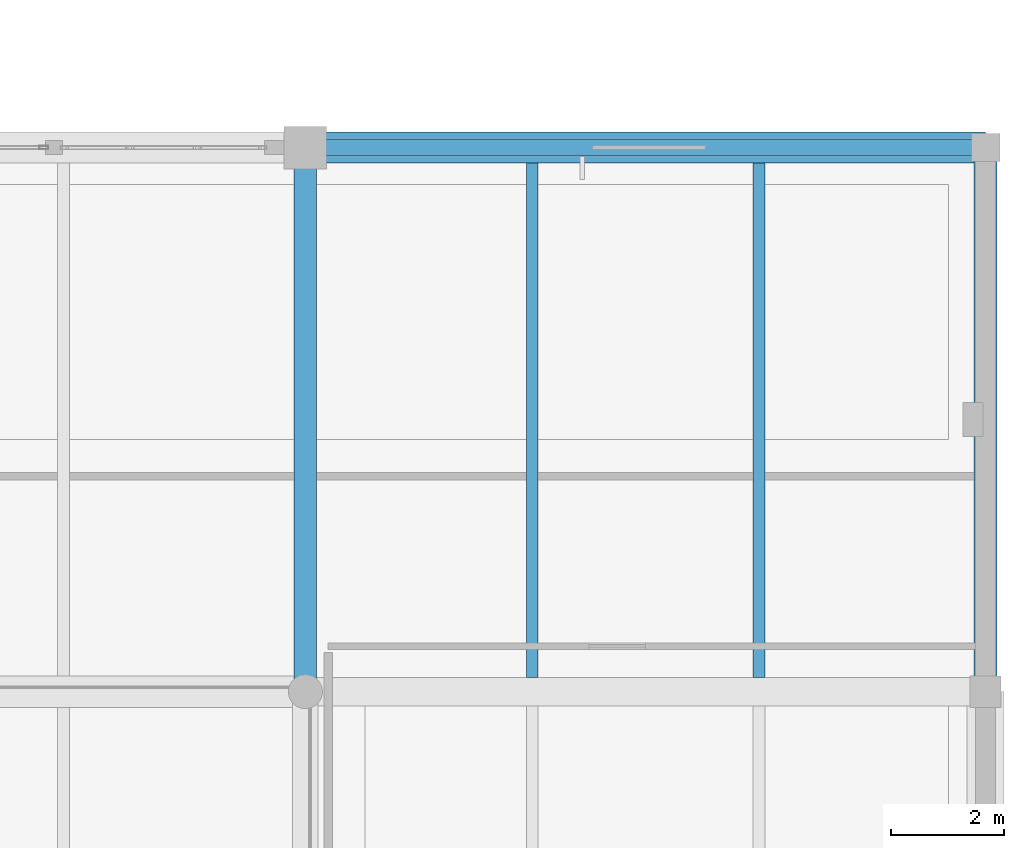
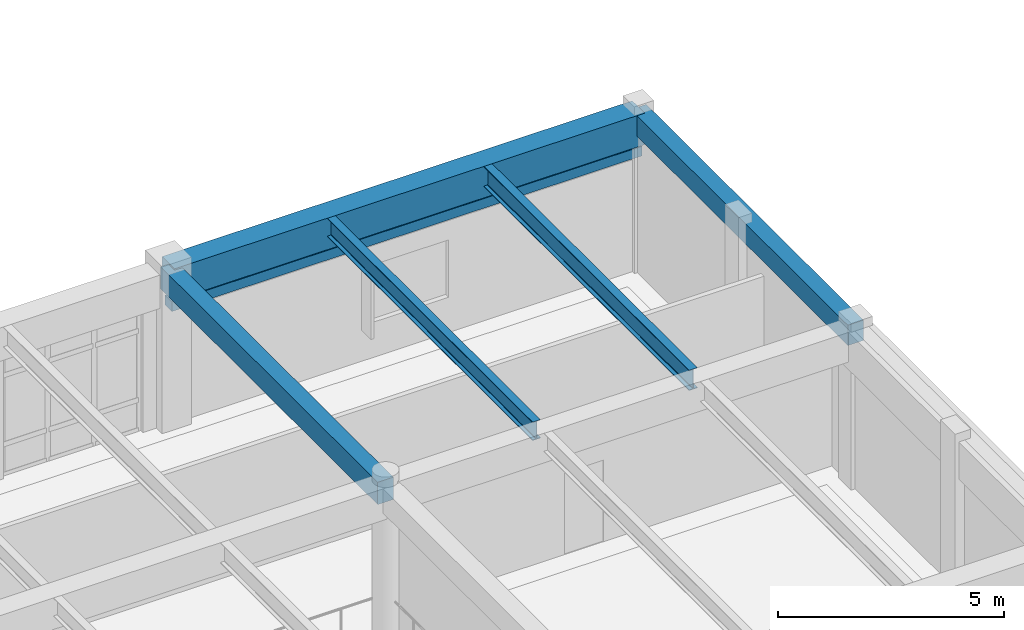
# One storey, part 63 of 109: 6 beams.
"""IFC4 building model written with IfcOpenShell, lengths in metres."""

from ifc_helpers import new_model, si_unit, direction, frame, origin, origin_2d, place, context, subcontext, project, spatial, rectangle, i_section, extrude, material, material_profile, profile_set, type_object, element, save


model = new_model("IFC4")

# Units and contexts
model_context = context("Model", 3, precision=1e-05, world=origin(), true_north=direction((0.0, 1.0)))
body_context = subcontext(model_context, "Body", "Model", "MODEL_VIEW")
ifc_project = project(units=[si_unit("LENGTHUNIT", "METRE"), si_unit("AREAUNIT", "SQUARE_METRE"), si_unit("VOLUMEUNIT", "CUBIC_METRE"), si_unit("PLANEANGLEUNIT", "RADIAN"), si_unit("MASSUNIT", "GRAM", prefix="KILO")], contexts=[model_context])

# Site, building, storey
site_placement = place(None, origin())
site = spatial("IfcSite", under=ifc_project, at=site_placement, CompositionType="ELEMENT")
building_placement = place(site_placement, origin())
building = spatial("IfcBuilding", under=site, at=building_placement, Name="Fikremerkos Civic Library", CompositionType="ELEMENT")
storey_placement = place(building_placement, frame((0.0, 0.0, 5.39990234375)))
storey = spatial("IfcBuildingStorey", under=building, at=storey_placement, Name="L01", CompositionType="ELEMENT", Elevation=5.39990234375)

# Beams
ifc_material_1 = material(Name="Steel S355", Category="steel")
ifc_material_profile_1 = material_profile(ifc_material_1, i_section(OverallWidth=0.2099609375, OverallDepth=0.550048828125, WebThickness=0.010986328125, FlangeThickness=0.01708984375, FilletRadius=0.02392578125, at=origin_2d()), Name="IPE 550")
ifc_profile_set_1 = profile_set([ifc_material_profile_1], Name="Steel S355")
beam_type_1 = type_object("IfcBeamType", Name="Floor joist JS-05 IPE 550", PredefinedType="JOIST", material=ifc_profile_set_1)
beam_1_placement = place(storey_placement, frame((168.0, 31.449951171875, 3.985107421875), z_axis=(0.0, 1.0, 0.0), x_axis=(-1.0, 0.0, 0.0)))
element("IfcBeam", 1, at=beam_1_placement, inside=storey, type_object=beam_type_1, Name="Floor joist JS-05 L01 #469", PredefinedType="JOIST", context=body_context, shape_type="SweptSolid", body=[
    extrude(i_section(OverallWidth=0.2099609375, OverallDepth=0.550048828125, WebThickness=0.010986328125, FlangeThickness=0.01708984375, FilletRadius=0.02392578125, at=origin_2d()), origin(), (0.0, 0.0, 1.0), 9.074951171875),
])
ifc_material_profile_2 = material_profile(ifc_material_1, i_section(OverallWidth=0.199951171875, OverallDepth=0.5, WebThickness=0.01025390625, FlangeThickness=0.01611328125, FilletRadius=0.02099609375, at=origin_2d()), Name="IPE 500")
ifc_profile_set_2 = profile_set([ifc_material_profile_2], Name="Steel S355")
beam_type_2 = type_object("IfcBeamType", Name="Floor joist JS-06 IPE 500", PredefinedType="JOIST", material=ifc_profile_set_2)
beam_2_placement = place(storey_placement, frame((164.0, 31.449951171875, 4.010009765625), z_axis=(0.0, 1.0, 0.0), x_axis=(-1.0, 0.0, 0.0)))
element("IfcBeam", 2, at=beam_2_placement, inside=storey, type_object=beam_type_2, Name="Floor joist JS-06 L01 #468", PredefinedType="JOIST", context=body_context, shape_type="SweptSolid", body=[
    extrude(i_section(OverallWidth=0.199951171875, OverallDepth=0.5, WebThickness=0.01025390625, FlangeThickness=0.01611328125, FilletRadius=0.02099609375, at=origin_2d()), origin(), (0.0, 0.0, 1.0), 9.074951171875),
])
ifc_material_2 = material(Name="Concrete C40/50", Category="concrete")
ifc_material_profile_3 = material_profile(ifc_material_2, rectangle(XDim=0.300048828125, YDim=0.260009765625, at=origin_2d()), Name="RC 300x260")
ifc_profile_set_3 = profile_set([ifc_material_profile_3], Name="Concrete C40/50")
beam_type_3 = type_object("IfcBeamType", Name="Opening lintel LNT-02 RC 300x260", PredefinedType="LINTEL", material=ifc_profile_set_3)
beam_3_placement = place(storey_placement, frame((160.0, 40.800048828125, 3.16015625), z_axis=(1.0, 0.0, 0.0), x_axis=(0.0, 1.0, 0.0)))
element("IfcBeam", 3, at=beam_3_placement, inside=storey, type_object=beam_type_3, Name="Courtyard window head lintel LNT-02 L01 #19", PredefinedType="LINTEL", context=body_context, shape_type="SweptSolid", body=[
    extrude(rectangle(XDim=0.300048828125, YDim=0.260009765625, at=origin_2d()), origin(), (0.0, 0.0, 1.0), 12.0),
])
ifc_material_profile_4 = material_profile(ifc_material_2, rectangle(XDim=0.550048828125, YDim=0.85009765625, at=origin_2d()), Name="RC 550x850")
ifc_profile_set_4 = profile_set([ifc_material_profile_4], Name="Concrete C40/50")
beam_type_4 = type_object("IfcBeamType", Name="Primary girder BM-03 RC 550x850", PredefinedType="BEAM", material=ifc_profile_set_4)
beam_4_placement = place(storey_placement, frame((160.0, 40.800048828125, 3.835205078125), z_axis=(1.0, 0.0, 0.0), x_axis=(0.0, 1.0, 0.0)))
element("IfcBeam", 4, at=beam_4_placement, inside=storey, type_object=beam_type_4, Name="Primary girder BM-03 L01 grid H", PredefinedType="BEAM", context=body_context, shape_type="SweptSolid", body=[
    extrude(rectangle(XDim=0.550048828125, YDim=0.85009765625, at=origin_2d()), origin(), (0.0, 0.0, 1.0), 12.0),
])
ifc_material_profile_5 = material_profile(ifc_material_2, rectangle(XDim=0.39990234375, YDim=0.60009765625, at=origin_2d()), Name="RC 400x600")
ifc_profile_set_5 = profile_set([ifc_material_profile_5], Name="Concrete C40/50")
beam_type_5 = type_object("IfcBeamType", Name="Primary girder BM-08 RC 400x600", PredefinedType="BEAM", material=ifc_profile_set_5)
beam_5_placement = place(storey_placement, frame((160.0, 31.199951171875, 3.920166015625), z_axis=(0.0, 1.0, 0.0), x_axis=(-1.0, 0.0, 0.0)))
element("IfcBeam", 5, at=beam_5_placement, inside=storey, type_object=beam_type_5, Name="Primary girder BM-08 L01 grid 14", PredefinedType="BEAM", context=body_context, shape_type="SweptSolid", body=[
    extrude(rectangle(XDim=0.39990234375, YDim=0.60009765625, at=origin_2d()), origin(), (0.0, 0.0, 1.0), 9.60009765625),
])
ifc_material_profile_6 = material_profile(ifc_material_2, rectangle(XDim=0.39990234375, YDim=0.550048828125, at=origin_2d()), Name="RC 400x550")
ifc_profile_set_6 = profile_set([ifc_material_profile_6], Name="Concrete C40/50")
beam_type_6 = type_object("IfcBeamType", Name="Primary girder BM-26 RC 400x550", PredefinedType="BEAM", material=ifc_profile_set_6)
beam_6_placement = place(storey_placement, frame((172.0, 31.199951171875, 3.985107421875), z_axis=(0.0, 1.0, 0.0), x_axis=(-1.0, 0.0, 0.0)))
element("IfcBeam", 6, at=beam_6_placement, inside=storey, type_object=beam_type_6, Name="Primary girder BM-26 L01 grid 15", PredefinedType="BEAM", context=body_context, shape_type="SweptSolid", body=[
    extrude(rectangle(XDim=0.39990234375, YDim=0.550048828125, at=origin_2d()), origin(), (0.0, 0.0, 1.0), 9.60009765625),
])

save(model, "model.ifc")
